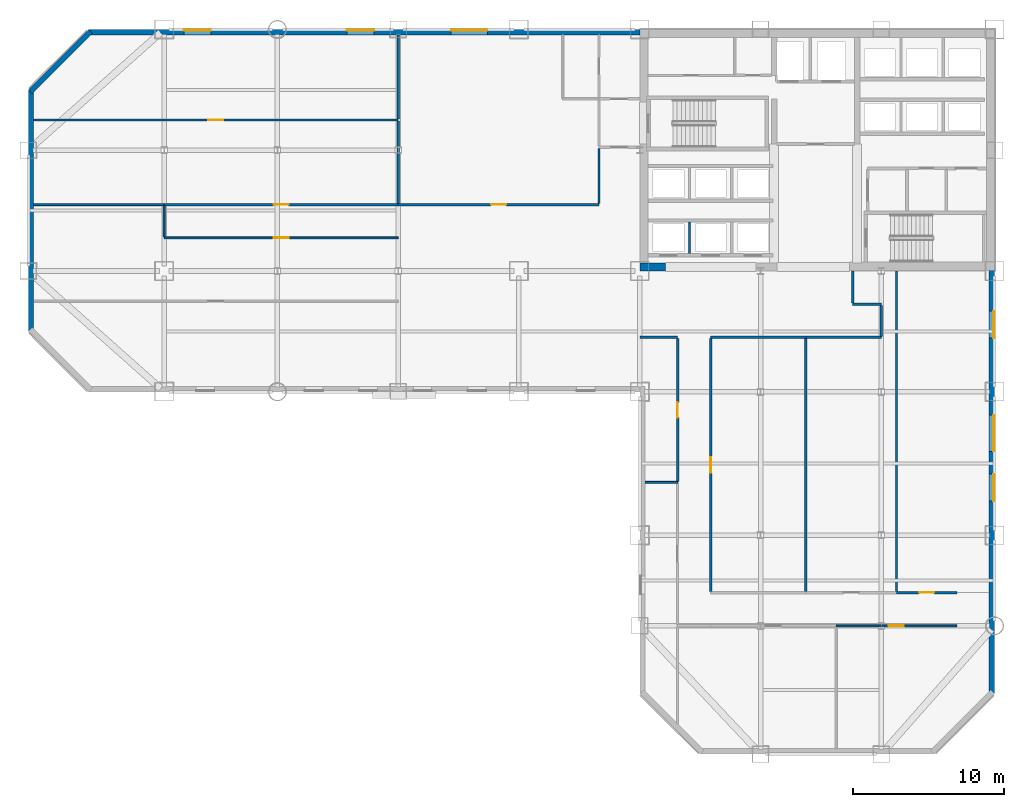
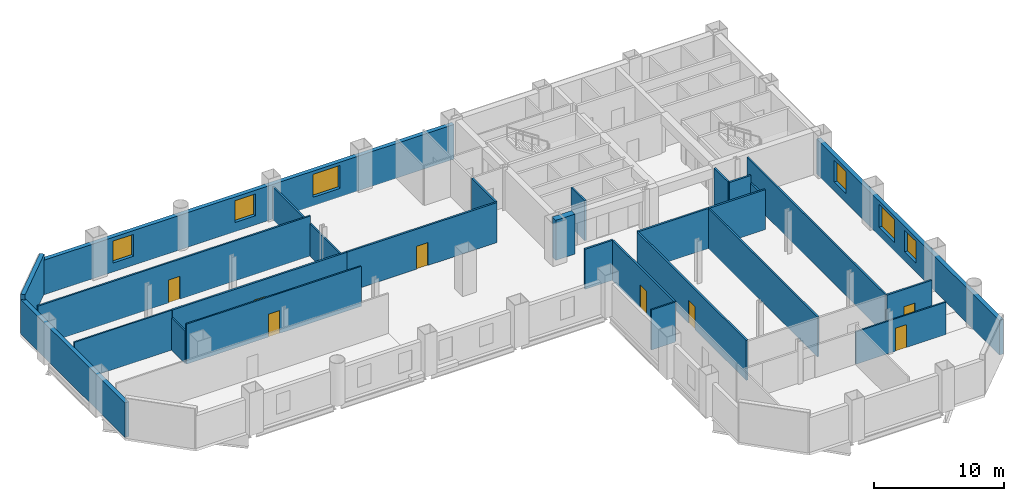
# One storey, part 5 of 9: 28 walls, 8 doors, 6 windows, 14 openings.
"""IFC4 building model written with IfcOpenShell, lengths in metres."""

from ifc_helpers import new_model, si_unit, direction, frame, frame_2d, origin, place, context, subcontext, project, spatial, rectangle, extrude, material, layer, layer_set, type_object, element, fill, save


model = new_model("IFC4")

# Units and contexts
model_context = context("Model", 3, precision=1e-05, world=origin(), true_north=direction((0.0, 1.0)))
body_context = subcontext(model_context, "Body", "Model", "MODEL_VIEW")
ifc_project = project(units=[si_unit("LENGTHUNIT", "METRE"), si_unit("AREAUNIT", "SQUARE_METRE"), si_unit("VOLUMEUNIT", "CUBIC_METRE"), si_unit("PLANEANGLEUNIT", "RADIAN"), si_unit("MASSUNIT", "GRAM", prefix="KILO")], contexts=[model_context])

# Site, building, storey
site_placement = place(None, origin())
site = spatial("IfcSite", under=ifc_project, at=site_placement, CompositionType="ELEMENT")
building_placement = place(site_placement, origin())
building = spatial("IfcBuilding", under=site, at=building_placement, Name="Qianrong Seaharbour Tower", CompositionType="ELEMENT")
storey_placement = place(building_placement, frame((0.0, 0.0, 76.199951171875)))
storey = spatial("IfcBuildingStorey", under=building, at=storey_placement, Name="L18", CompositionType="ELEMENT", Elevation=76.199951171875)

# Wall
ifc_material_1 = material(Name="Concrete C70/85", Category="concrete")
ifc_layer_1 = layer(ifc_material_1, 0.5400390625)
ifc_layer_set_1 = layer_set([ifc_layer_1], Name="Concrete C70/85")
wall_type_1 = type_object("IfcWallType", Name="WALL-CORE-540", PredefinedType="SHEAR", material=ifc_layer_set_1)
wall_1_placement = place(storey_placement, frame((40.5, 36.27001953125, 0.0), z_axis=(0.0, 0.0, 1.0), x_axis=(1.0, 0.0, 0.0)))
element("IfcWall", 1, at=wall_1_placement, inside=storey, type_object=wall_type_1, Name="L18 South Core Shear Wall S1", PredefinedType="SHEAR", context=body_context, shape_type="SweptSolid", body=[
    extrude(rectangle(XDim=1.699951171875, YDim=0.5400390625, at=frame_2d((0.85009765625, 0.0))), origin(), (0.0, 0.0, 1.0), 3.75),
])

# Wall, opening, door
ifc_material_2 = material(Name="Fire-rated acoustic gypsum board partition")
ifc_layer_2 = layer(ifc_material_2, 0.1650390625)
ifc_layer_set_2 = layer_set([ifc_layer_2], Name="Fire-rated acoustic gypsum board partition")
wall_type_2 = type_object("IfcWallType", Name="WALL-CORR-PART-165", PredefinedType="PARTITIONING", material=ifc_layer_set_2)
wall_2_placement = place(storey_placement, frame((24.5, 40.39990234375, 0.0), z_axis=(0.0, 0.0, 1.0), x_axis=(1.0, 0.0, 0.0)))
wall_2 = element("IfcWall", 2, at=wall_2_placement, inside=storey, type_object=wall_type_2, Name="L18 Interior Partition Wall 017", PredefinedType="PARTITIONING", context=body_context, shape_type="SweptSolid", body=[
    extrude(rectangle(XDim=13.300048828125, YDim=0.1650390625, at=frame_2d((6.64990234375, 0.0))), origin(), (0.0, 0.0, 1.0), 3.75),
])
opening_1_placement = place(wall_2_placement, frame((6.14990234375, 0.0, 0.0)))
opening_1 = element("IfcOpeningElement", 3, at=opening_1_placement, cuts=wall_2, Name="Opening DO-01", PredefinedType="OPENING", context=body_context, shape_type="SweptSolid", body=[
    extrude(rectangle(XDim=1.0, YDim=2.14990234375, at=frame_2d((0.5, 1.074951171875))), frame((0.0, 0.092529296875, 0.0), z_axis=(0.0, -1.0, 0.0), x_axis=(1.0, 0.0, 0.0)), (0.0, 0.0, 1.0), 0.18505859375),
])
ifc_material_3 = material(Name="Acoustic timber and galvanized steel fire door assembly", Category="steel")
door_type = type_object("IfcDoorType", Name="DOOR-OFFICE-1000x2150", OperationType="NOTDEFINED", PredefinedType="DOOR", material=ifc_material_3)
door_1_placement = place(opening_1_placement, origin())
door_1 = element("IfcDoor", 4, at=door_1_placement, inside=storey, type_object=door_type, Name="L18 Central Spine Open-Plan Office Door", OperationType="SINGLE_SWING_RIGHT", OverallHeight=2.14990234375, OverallWidth=1.0, PredefinedType="DOOR", context=body_context, shape_type="SweptSolid", body=[
    extrude(rectangle(XDim=1.0, YDim=2.14990234375, at=frame_2d((0.5, 1.074951171875))), frame((0.0, 0.02490234375, 0.0), z_axis=(0.0, -1.0, 0.0), x_axis=(1.0, 0.0, 0.0)), (0.0, 0.0, 1.0), 0.050048828125),
])
fill(opening_1, door_1)

wall_3_placement = place(storey_placement, frame((9.0, 40.39990234375, 0.0), z_axis=(0.0, 0.0, 1.0), x_axis=(1.0, 0.0, 0.0)))
wall_3 = element("IfcWall", 5, at=wall_3_placement, inside=storey, type_object=wall_type_2, Name="L18 Interior Partition Wall 020", PredefinedType="PARTITIONING", context=body_context, shape_type="SweptSolid", body=[
    extrude(rectangle(XDim=15.5, YDim=0.1650390625, at=frame_2d((7.75, 0.0))), origin(), (0.0, 0.0, 1.0), 3.75),
])
opening_2_placement = place(wall_3_placement, frame((7.25, 0.0, 0.0)))
opening_2 = element("IfcOpeningElement", 6, at=opening_2_placement, cuts=wall_3, Name="Opening DO-01", PredefinedType="OPENING", context=body_context, shape_type="SweptSolid", body=[
    extrude(rectangle(XDim=1.0, YDim=2.14990234375, at=frame_2d((0.5, 1.074951171875))), frame((0.0, 0.092529296875, 0.0), z_axis=(0.0, -1.0, 0.0), x_axis=(1.0, 0.0, 0.0)), (0.0, 0.0, 1.0), 0.18505859375),
])
door_2_placement = place(opening_2_placement, origin())
door_2 = element("IfcDoor", 7, at=door_2_placement, inside=storey, type_object=door_type, Name="L18 Hospitality Dining Room 3 Door", OperationType="SINGLE_SWING_LEFT", OverallHeight=2.14990234375, OverallWidth=1.0, PredefinedType="DOOR", context=body_context, shape_type="SweptSolid", body=[
    extrude(rectangle(XDim=1.0, YDim=2.14990234375, at=frame_2d((0.5, 1.074951171875))), frame((0.0, 0.02490234375, 0.0), z_axis=(0.0, -1.0, 0.0), x_axis=(1.0, 0.0, 0.0)), (0.0, 0.0, 1.0), 0.050048828125),
])
fill(opening_2, door_2)

# Walls
wall_4_placement = place(storey_placement, frame((37.800048828125, 40.474609375, 0.0), z_axis=(0.0, 0.0, 1.0), x_axis=(0.0, 1.0, 0.0)))
element("IfcWall", 8, at=wall_4_placement, inside=storey, type_object=wall_type_2, Name="L18 Interior Partition Wall 021", PredefinedType="PARTITIONING", context=body_context, shape_type="SweptSolid", body=[
    extrude(rectangle(XDim=3.65087890625, YDim=0.1650390625, at=frame_2d((1.825439453125, 0.0))), origin(), (0.0, 0.0, 1.0), 3.75),
])
wall_5_placement = place(storey_placement, frame((51.5, 31.60009765625, 0.0), z_axis=(0.0, 0.0, 1.0), x_axis=(-1.0, 0.0, 0.0)))
element("IfcWall", 9, at=wall_5_placement, inside=storey, type_object=wall_type_2, Name="L18 Interior Partition Wall 022", PredefinedType="PARTITIONING", context=body_context, shape_type="SweptSolid", body=[
    extrude(rectangle(XDim=6.300048828125, YDim=0.1650390625, at=frame_2d((3.14990234375, 0.0))), origin(), (0.0, 0.0, 1.0), 3.75),
])
wall_6_placement = place(storey_placement, frame((54.60009765625, 36.0, 0.0), z_axis=(0.0, 0.0, 1.0), x_axis=(0.0, -1.0, 0.0)))
element("IfcWall", 10, at=wall_6_placement, inside=storey, type_object=wall_type_2, Name="L18 Interior Partition Wall 023", PredefinedType="PARTITIONING", context=body_context, shape_type="SweptSolid", body=[
    extrude(rectangle(XDim=2.12548828125, YDim=0.1650390625, at=frame_2d((1.062744140625, 0.0))), origin(), (0.0, 0.0, 1.0), 3.75),
])
wall_7_placement = place(storey_placement, frame((54.60009765625, 33.800048828125, 0.0), z_axis=(0.0, 0.0, 1.0), x_axis=(1.0, 0.0, 0.0)))
element("IfcWall", 11, at=wall_7_placement, inside=storey, type_object=wall_type_2, Name="L18 Interior Partition Wall 024", PredefinedType="PARTITIONING", context=body_context, shape_type="SweptSolid", body=[
    extrude(rectangle(XDim=1.89990234375, YDim=0.1650390625, at=frame_2d((0.949951171875, 0.0))), origin(), (0.0, 0.0, 1.0), 3.75),
])
wall_8_placement = place(storey_placement, frame((56.5, 33.7255859375, 0.0), z_axis=(0.0, 0.0, 1.0), x_axis=(0.0, -1.0, 0.0)))
element("IfcWall", 12, at=wall_8_placement, inside=storey, type_object=wall_type_2, Name="L18 Interior Partition Wall 025", PredefinedType="PARTITIONING", context=body_context, shape_type="SweptSolid", body=[
    extrude(rectangle(XDim=2.051025390625, YDim=0.1650390625, at=frame_2d((1.025390625, 0.0))), origin(), (0.0, 0.0, 1.0), 3.0419921875),
])
wall_9_placement = place(storey_placement, frame((56.5, 31.60009765625, 0.0), z_axis=(0.0, 0.0, 1.0), x_axis=(-1.0, 0.0, 0.0)))
element("IfcWall", 13, at=wall_9_placement, inside=storey, type_object=wall_type_2, Name="L18 Interior Partition Wall 026", PredefinedType="PARTITIONING", context=body_context, shape_type="SweptSolid", body=[
    extrude(rectangle(XDim=5.0, YDim=0.1650390625, at=frame_2d((2.5, 0.0))), origin(), (0.0, 0.0, 1.0), 3.75),
])
wall_10_placement = place(storey_placement, frame((43.0, 31.60009765625, 0.0), z_axis=(0.0, 0.0, 1.0), x_axis=(-1.0, 0.0, 0.0)))
element("IfcWall", 14, at=wall_10_placement, inside=storey, type_object=wall_type_2, Name="L18 Interior Partition Wall 027", PredefinedType="PARTITIONING", context=body_context, shape_type="SweptSolid", body=[
    extrude(rectangle(XDim=2.5, YDim=0.1650390625, at=frame_2d((1.25, 0.0))), origin(), (0.0, 0.0, 1.0), 3.75),
])

# Wall, opening, door
wall_11_placement = place(storey_placement, frame((45.199951171875, 31.525390625, 0.0), z_axis=(0.0, 0.0, 1.0), x_axis=(0.0, -1.0, 0.0)))
wall_11 = element("IfcWall", 15, at=wall_11_placement, inside=storey, type_object=wall_type_2, Name="L18 Interior Partition Wall 028", PredefinedType="PARTITIONING", context=body_context, shape_type="SweptSolid", body=[
    extrude(rectangle(XDim=16.7509765625, YDim=0.1650390625, at=frame_2d((8.37548828125, 0.0))), origin(), (0.0, 0.0, 1.0), 3.75),
])
opening_3_placement = place(wall_11_placement, frame((7.87548828125, 0.0, 0.0)))
opening_3 = element("IfcOpeningElement", 16, at=opening_3_placement, cuts=wall_11, Name="Opening DO-01", PredefinedType="OPENING", context=body_context, shape_type="SweptSolid", body=[
    extrude(rectangle(XDim=1.0, YDim=2.14990234375, at=frame_2d((0.5, 1.074951171875))), frame((0.0, 0.092529296875, 0.0), z_axis=(0.0, -1.0, 0.0), x_axis=(1.0, 0.0, 0.0)), (0.0, 0.0, 1.0), 0.18505859375),
])
door_3_placement = place(opening_3_placement, origin())
door_3 = element("IfcDoor", 17, at=door_3_placement, inside=storey, type_object=door_type, Name="L18 East Harbour Dining Salon 1 Door", OperationType="SINGLE_SWING_LEFT", OverallHeight=2.14990234375, OverallWidth=1.0, PredefinedType="DOOR", context=body_context, shape_type="SweptSolid", body=[
    extrude(rectangle(XDim=1.0, YDim=2.14990234375, at=frame_2d((0.5, 1.074951171875))), frame((0.0, 0.02490234375, 0.0), z_axis=(0.0, -1.0, 0.0), x_axis=(1.0, 0.0, 0.0)), (0.0, 0.0, 1.0), 0.050048828125),
])
fill(opening_3, door_3)

wall_12_placement = place(storey_placement, frame((43.0, 22.056884765625, 0.0), z_axis=(0.0, 0.0, 1.0), x_axis=(0.0, 1.0, 0.0)))
wall_12 = element("IfcWall", 18, at=wall_12_placement, inside=storey, type_object=wall_type_2, Name="L18 Interior Partition Wall 030", PredefinedType="PARTITIONING", context=body_context, shape_type="SweptSolid", body=[
    extrude(rectangle(XDim=9.468505859375, YDim=0.1650390625, at=frame_2d((4.734375, 0.0))), origin(), (0.0, 0.0, 1.0), 3.75),
])
opening_4_placement = place(wall_12_placement, frame((4.234375, 0.0, 0.0)))
opening_4 = element("IfcOpeningElement", 19, at=opening_4_placement, cuts=wall_12, Name="Opening DO-01", PredefinedType="OPENING", context=body_context, shape_type="SweptSolid", body=[
    extrude(rectangle(XDim=1.0, YDim=2.14990234375, at=frame_2d((0.5, 1.074951171875))), frame((0.0, 0.092529296875, 0.0), z_axis=(0.0, -1.0, 0.0), x_axis=(1.0, 0.0, 0.0)), (0.0, 0.0, 1.0), 0.18505859375),
])
door_4_placement = place(opening_4_placement, origin())
door_4 = element("IfcDoor", 20, at=door_4_placement, inside=storey, type_object=door_type, Name="L18 Concierge Office 2 Door", OperationType="SINGLE_SWING_LEFT", OverallHeight=2.14990234375, OverallWidth=1.0, PredefinedType="DOOR", context=body_context, shape_type="SweptSolid", body=[
    extrude(rectangle(XDim=1.0, YDim=2.14990234375, at=frame_2d((0.5, 1.074951171875))), frame((0.0, 0.02490234375, 0.0), z_axis=(0.0, -1.0, 0.0), x_axis=(1.0, 0.0, 0.0)), (0.0, 0.0, 1.0), 0.050048828125),
])
fill(opening_4, door_4)

wall_13_placement = place(storey_placement, frame((57.5, 14.699951171875, 0.0), z_axis=(0.0, 0.0, 1.0), x_axis=(1.0, 0.0, 0.0)))
wall_13 = element("IfcWall", 21, at=wall_13_placement, inside=storey, type_object=wall_type_2, Name="L18 Interior Partition Wall 034", PredefinedType="PARTITIONING", context=body_context, shape_type="SweptSolid", body=[
    extrude(rectangle(XDim=4.0, YDim=0.1650390625, at=frame_2d((2.0, 0.0))), origin(), (0.0, 0.0, 1.0), 3.75),
])
opening_5_placement = place(wall_13_placement, frame((1.5, 0.0, 0.0)))
opening_5 = element("IfcOpeningElement", 22, at=opening_5_placement, cuts=wall_13, Name="Opening DO-01", PredefinedType="OPENING", context=body_context, shape_type="SweptSolid", body=[
    extrude(rectangle(XDim=1.0, YDim=2.14990234375, at=frame_2d((0.5, 1.074951171875))), frame((0.0, 0.092529296875, 0.0), z_axis=(0.0, -1.0, 0.0), x_axis=(1.0, 0.0, 0.0)), (0.0, 0.0, 1.0), 0.18505859375),
])
door_5_placement = place(opening_5_placement, origin())
door_5 = element("IfcDoor", 23, at=door_5_placement, inside=storey, type_object=door_type, Name="L18 Staff Lounge 3 Door", OperationType="SINGLE_SWING_LEFT", OverallHeight=2.14990234375, OverallWidth=1.0, PredefinedType="DOOR", context=body_context, shape_type="SweptSolid", body=[
    extrude(rectangle(XDim=1.0, YDim=2.14990234375, at=frame_2d((0.5, 1.074951171875))), frame((0.0, 0.02490234375, 0.0), z_axis=(0.0, -1.0, 0.0), x_axis=(1.0, 0.0, 0.0)), (0.0, 0.0, 1.0), 0.050048828125),
])
fill(opening_5, door_5)

# Walls
ifc_material_4 = material(Name="Unitised red brick on Precast concrete C45/55", Category="masonry")
ifc_layer_3 = layer(ifc_material_4, 0.360107421875)
ifc_layer_set_3 = layer_set([ifc_layer_3], Name="Unitised red brick on Precast concrete C45/55")
wall_type_3 = type_object("IfcWallType", Name="WALL-EXT-BRICK-RED-360", PredefinedType="SOLIDWALL", material=ifc_layer_set_3)
wall_14_placement = place(storey_placement, frame((0.179931640625, 32.0, 0.0), z_axis=(0.0, 0.0, 1.0), x_axis=(0.0, 1.0, 0.0)))
element("IfcWall", 24, at=wall_14_placement, inside=storey, type_object=wall_type_3, Name="L18 Exterior Masonry Facade Wall WEST_TIP", PredefinedType="SOLIDWALL", context=body_context, shape_type="SweptSolid", body=[
    extrude(rectangle(XDim=16.0, YDim=0.360107421875, at=frame_2d((8.0, 0.0))), origin(), (0.0, 0.0, 1.0), 3.25),
])
wall_15_placement = place(storey_placement, frame((0.127197265625, 47.872802734375, 0.0), z_axis=(0.0, 0.0, 1.0), x_axis=(0.707106781187, 0.707106781187, 0.0)))
element("IfcWall", 25, at=wall_15_placement, inside=storey, type_object=wall_type_3, Name="L18 Exterior Masonry Facade Wall E04", PredefinedType="SOLIDWALL", context=body_context, shape_type="SweptSolid", body=[
    extrude(rectangle(XDim=5.65673828125, YDim=0.360107421875, at=frame_2d((2.828369140625, 0.0))), origin(), (0.0, 0.0, 1.0), 3.75),
])

# Wall, openings, windows
wall_16_placement = place(storey_placement, frame((4.0, 51.820068359375, 0.0), z_axis=(0.0, 0.0, 1.0), x_axis=(1.0, 0.0, 0.0)))
wall_16 = element("IfcWall", 26, at=wall_16_placement, inside=storey, type_object=wall_type_3, Name="L18 Exterior Masonry Facade Wall NORTH_WING", PredefinedType="SOLIDWALL", context=body_context, shape_type="SweptSolid", body=[
    extrude(rectangle(XDim=36.52001953125, YDim=0.360107421875, at=frame_2d((18.260009765625, 0.0))), origin(), (0.0, 0.0, 1.0), 3.25),
])
opening_6_placement = place(wall_16_placement, frame((6.300048828125, 0.0, 0.85009765625)))
opening_6 = element("IfcOpeningElement", 27, at=opening_6_placement, cuts=wall_16, Name="Opening WN-05", PredefinedType="OPENING", context=body_context, shape_type="SweptSolid", body=[
    extrude(rectangle(XDim=1.800048828125, YDim=2.050048828125, at=frame_2d((0.89990234375, 1.02490234375))), frame((0.0, 0.18994140625, 0.0), z_axis=(0.0, -1.0, 0.0), x_axis=(1.0, 0.0, 0.0)), (0.0, 0.0, 1.0), 0.380126953125),
])
opening_7_placement = place(wall_16_placement, frame((17.10009765625, 0.0, 0.85009765625)))
opening_7 = element("IfcOpeningElement", 28, at=opening_7_placement, cuts=wall_16, Name="Opening WN-05", PredefinedType="OPENING", context=body_context, shape_type="SweptSolid", body=[
    extrude(rectangle(XDim=1.800048828125, YDim=2.050048828125, at=frame_2d((0.89990234375, 1.02490234375))), frame((0.0, 0.18994140625, 0.0), z_axis=(0.0, -1.0, 0.0), x_axis=(1.0, 0.0, 0.0)), (0.0, 0.0, 1.0), 0.380126953125),
])
opening_8_placement = place(wall_16_placement, frame((24.0, 0.0, 0.800048828125)))
opening_8 = element("IfcOpeningElement", 29, at=opening_8_placement, cuts=wall_16, Name="Opening WN-07", PredefinedType="OPENING", context=body_context, shape_type="SweptSolid", body=[
    extrude(rectangle(XDim=2.39990234375, YDim=2.14990234375, at=frame_2d((1.199951171875, 1.074951171875))), frame((0.0, 0.18994140625, 0.0), z_axis=(0.0, -1.0, 0.0), x_axis=(1.0, 0.0, 0.0)), (0.0, 0.0, 1.0), 0.380126953125),
])
ifc_material_5 = material(Name="Insulated low-e double glazing in thermally broken aluminium 6063-T6 frame", Category="aluminium")
window_type_1 = type_object("IfcWindowType", Name="WIN-PUNCH-1800x2050", PartitioningType="TRIPLE_PANEL_VERTICAL", PredefinedType="WINDOW", material=ifc_material_5)
window_1_placement = place(opening_6_placement, origin())
window_1 = element("IfcWindow", 30, at=window_1_placement, inside=storey, type_object=window_type_1, Name="L18 Deep-Set Punched Window 05.02", OverallHeight=2.050048828125, OverallWidth=1.800048828125, PartitioningType="TRIPLE_PANEL_VERTICAL", PredefinedType="WINDOW", context=body_context, shape_type="SweptSolid", body=[
    extrude(rectangle(XDim=1.800048828125, YDim=2.050048828125, at=frame_2d((0.89990234375, 1.02490234375))), frame((0.0, 0.150146484375, 0.0), z_axis=(0.0, -1.0, 0.0), x_axis=(1.0, 0.0, 0.0)), (0.0, 0.0, 1.0), 0.06005859375),
])
fill(opening_6, window_1)
window_2_placement = place(opening_7_placement, origin())
window_2 = element("IfcWindow", 31, at=window_2_placement, inside=storey, type_object=window_type_1, Name="L18 Deep-Set Punched Window 05.05", OverallHeight=2.050048828125, OverallWidth=1.800048828125, PartitioningType="TRIPLE_PANEL_VERTICAL", PredefinedType="WINDOW", context=body_context, shape_type="SweptSolid", body=[
    extrude(rectangle(XDim=1.800048828125, YDim=2.050048828125, at=frame_2d((0.89990234375, 1.02490234375))), frame((0.0, 0.150146484375, 0.0), z_axis=(0.0, -1.0, 0.0), x_axis=(1.0, 0.0, 0.0)), (0.0, 0.0, 1.0), 0.06005859375),
])
fill(opening_7, window_2)
window_type_2 = type_object("IfcWindowType", Name="WIN-PUNCH-2400x2150", PartitioningType="TRIPLE_PANEL_VERTICAL", PredefinedType="WINDOW", material=ifc_material_5)
window_3_placement = place(opening_8_placement, origin())
window_3 = element("IfcWindow", 32, at=window_3_placement, inside=storey, type_object=window_type_2, Name="L18 Deep-Set Punched Window 05.07", OverallHeight=2.14990234375, OverallWidth=2.39990234375, PartitioningType="TRIPLE_PANEL_VERTICAL", PredefinedType="WINDOW", context=body_context, shape_type="SweptSolid", body=[
    extrude(rectangle(XDim=2.39990234375, YDim=2.14990234375, at=frame_2d((1.199951171875, 1.074951171875))), frame((0.0, 0.150146484375, 0.0), z_axis=(0.0, -1.0, 0.0), x_axis=(1.0, 0.0, 0.0)), (0.0, 0.0, 1.0), 0.06005859375),
])
fill(opening_8, window_3)

wall_17_placement = place(storey_placement, frame((63.820068359375, 36.050048828125, 0.0), z_axis=(0.0, 0.0, 1.0), x_axis=(0.0, -1.0, 0.0)))
wall_17 = element("IfcWall", 33, at=wall_17_placement, inside=storey, type_object=wall_type_3, Name="L18 Exterior Masonry Facade Wall EAST_WING", PredefinedType="SOLIDWALL", context=body_context, shape_type="SweptSolid", body=[
    extrude(rectangle(XDim=28.050048828125, YDim=0.360107421875, at=frame_2d((14.02490234375, 0.0))), origin(), (0.0, 0.0, 1.0), 3.25),
])
opening_9_placement = place(wall_17_placement, frame((2.699951171875, 0.0, 0.85009765625)))
opening_9 = element("IfcOpeningElement", 34, at=opening_9_placement, cuts=wall_17, Name="Opening WN-05", PredefinedType="OPENING", context=body_context, shape_type="SweptSolid", body=[
    extrude(rectangle(XDim=1.800048828125, YDim=2.050048828125, at=frame_2d((0.89990234375, 1.02490234375))), frame((0.0, 0.18994140625, 0.0), z_axis=(0.0, -1.0, 0.0), x_axis=(1.0, 0.0, 0.0)), (0.0, 0.0, 1.0), 0.380126953125),
])
opening_10_placement = place(wall_17_placement, frame((9.60009765625, 0.0, 0.800048828125)))
opening_10 = element("IfcOpeningElement", 35, at=opening_10_placement, cuts=wall_17, Name="Opening WN-07", PredefinedType="OPENING", context=body_context, shape_type="SweptSolid", body=[
    extrude(rectangle(XDim=2.39990234375, YDim=2.14990234375, at=frame_2d((1.199951171875, 1.074951171875))), frame((0.0, 0.18994140625, 0.0), z_axis=(0.0, -1.0, 0.0), x_axis=(1.0, 0.0, 0.0)), (0.0, 0.0, 1.0), 0.380126953125),
])
opening_11_placement = place(wall_17_placement, frame((13.5, 0.0, 0.85009765625)))
opening_11 = element("IfcOpeningElement", 36, at=opening_11_placement, cuts=wall_17, Name="Opening WN-05", PredefinedType="OPENING", context=body_context, shape_type="SweptSolid", body=[
    extrude(rectangle(XDim=1.800048828125, YDim=2.050048828125, at=frame_2d((0.89990234375, 1.02490234375))), frame((0.0, 0.18994140625, 0.0), z_axis=(0.0, -1.0, 0.0), x_axis=(1.0, 0.0, 0.0)), (0.0, 0.0, 1.0), 0.380126953125),
])
window_4_placement = place(opening_9_placement, origin())
window_4 = element("IfcWindow", 37, at=window_4_placement, inside=storey, type_object=window_type_1, Name="L18 Deep-Set Punched Window 06.01", OverallHeight=2.050048828125, OverallWidth=1.800048828125, PartitioningType="TRIPLE_PANEL_VERTICAL", PredefinedType="WINDOW", context=body_context, shape_type="SweptSolid", body=[
    extrude(rectangle(XDim=1.800048828125, YDim=2.050048828125, at=frame_2d((0.89990234375, 1.02490234375))), frame((0.0, 0.150146484375, 0.0), z_axis=(0.0, -1.0, 0.0), x_axis=(1.0, 0.0, 0.0)), (0.0, 0.0, 1.0), 0.06005859375),
])
fill(opening_9, window_4)
window_5_placement = place(opening_11_placement, origin())
window_5 = element("IfcWindow", 38, at=window_5_placement, inside=storey, type_object=window_type_1, Name="L18 Deep-Set Punched Window 06.04", OverallHeight=2.050048828125, OverallWidth=1.800048828125, PartitioningType="TRIPLE_PANEL_VERTICAL", PredefinedType="WINDOW", context=body_context, shape_type="SweptSolid", body=[
    extrude(rectangle(XDim=1.800048828125, YDim=2.050048828125, at=frame_2d((0.89990234375, 1.02490234375))), frame((0.0, 0.150146484375, 0.0), z_axis=(0.0, -1.0, 0.0), x_axis=(1.0, 0.0, 0.0)), (0.0, 0.0, 1.0), 0.06005859375),
])
fill(opening_11, window_5)
window_6_placement = place(opening_10_placement, origin())
window_6 = element("IfcWindow", 39, at=window_6_placement, inside=storey, type_object=window_type_2, Name="L18 Deep-Set Punched Window 06.03", OverallHeight=2.14990234375, OverallWidth=2.39990234375, PartitioningType="TRIPLE_PANEL_VERTICAL", PredefinedType="WINDOW", context=body_context, shape_type="SweptSolid", body=[
    extrude(rectangle(XDim=2.39990234375, YDim=2.14990234375, at=frame_2d((1.199951171875, 1.074951171875))), frame((0.0, 0.150146484375, 0.0), z_axis=(0.0, -1.0, 0.0), x_axis=(1.0, 0.0, 0.0)), (0.0, 0.0, 1.0), 0.06005859375),
])
fill(opening_10, window_6)

# Walls
ifc_material_6 = material(Name="Acoustic gypsum board stud partition")
ifc_layer_4 = layer(ifc_material_6, 0.14501953125)
ifc_layer_set_4 = layer_set([ifc_layer_4], Name="Acoustic gypsum board stud partition")
wall_type_4 = type_object("IfcWallType", Name="WALL-OFFICE-PART-145", PredefinedType="PARTITIONING", material=ifc_layer_set_4)
wall_18_placement = place(storey_placement, frame((24.5, 40.474609375, 0.0), z_axis=(0.0, 0.0, 1.0), x_axis=(0.0, 1.0, 0.0)))
element("IfcWall", 40, at=wall_18_placement, inside=storey, type_object=wall_type_4, Name="L18 Interior Partition Wall 037", PredefinedType="PARTITIONING", context=body_context, shape_type="SweptSolid", body=[
    extrude(rectangle(XDim=5.4609375, YDim=0.14501953125, at=frame_2d((2.73046875, 0.0))), origin(), (0.0, 0.0, 1.0), 3.0419921875),
])
wall_19_placement = place(storey_placement, frame((24.5, 46.064453125, 0.0), z_axis=(0.0, 0.0, 1.0), x_axis=(0.0, 1.0, 0.0)))
element("IfcWall", 41, at=wall_19_placement, inside=storey, type_object=wall_type_4, Name="L18 Interior Partition Wall 038", PredefinedType="PARTITIONING", context=body_context, shape_type="SweptSolid", body=[
    extrude(rectangle(XDim=5.58349609375, YDim=0.14501953125, at=frame_2d((2.791748046875, 0.0))), origin(), (0.0, 0.0, 1.0), 3.0419921875),
])

# Wall, opening, door
wall_20_placement = place(storey_placement, frame((0.35205078125, 46.0, 0.0), z_axis=(0.0, 0.0, 1.0), x_axis=(1.0, 0.0, 0.0)))
wall_20 = element("IfcWall", 42, at=wall_20_placement, inside=storey, type_object=wall_type_4, Name="L18 Interior Partition Wall 041", PredefinedType="PARTITIONING", context=body_context, shape_type="SweptSolid", body=[
    extrude(rectangle(XDim=24.14794921875, YDim=0.14501953125, at=frame_2d((12.073974609375, 0.0))), origin(), (0.0, 0.0, 1.0), 3.75),
])
opening_12_placement = place(wall_20_placement, frame((11.573974609375, 0.0, 0.0)))
opening_12 = element("IfcOpeningElement", 43, at=opening_12_placement, cuts=wall_20, Name="Opening DO-01", PredefinedType="OPENING", context=body_context, shape_type="SweptSolid", body=[
    extrude(rectangle(XDim=1.0, YDim=2.14990234375, at=frame_2d((0.5, 1.074951171875))), frame((0.0, 0.08251953125, 0.0), z_axis=(0.0, -1.0, 0.0), x_axis=(1.0, 0.0, 0.0)), (0.0, 0.0, 1.0), 0.1650390625),
])
door_6_placement = place(opening_12_placement, origin())
door_6 = element("IfcDoor", 44, at=door_6_placement, inside=storey, type_object=door_type, Name="L18 Quiet Sitting Lounge 4 Door", OperationType="SINGLE_SWING_RIGHT", OverallHeight=2.14990234375, OverallWidth=1.0, PredefinedType="DOOR", context=body_context, shape_type="SweptSolid", body=[
    extrude(rectangle(XDim=1.0, YDim=2.14990234375, at=frame_2d((0.5, 1.074951171875))), frame((0.0, 0.02490234375, 0.0), z_axis=(0.0, -1.0, 0.0), x_axis=(1.0, 0.0, 0.0)), (0.0, 0.0, 1.0), 0.050048828125),
])
fill(opening_12, door_6)

# Walls
wall_21_placement = place(storey_placement, frame((51.5, 31.525390625, 0.0), z_axis=(0.0, 0.0, 1.0), x_axis=(0.0, -1.0, 0.0)))
element("IfcWall", 45, at=wall_21_placement, inside=storey, type_object=wall_type_4, Name="L18 Interior Partition Wall 042", PredefinedType="PARTITIONING", context=body_context, shape_type="SweptSolid", body=[
    extrude(rectangle(XDim=16.7509765625, YDim=0.14501953125, at=frame_2d((8.37548828125, 0.0))), origin(), (0.0, 0.0, 1.0), 3.75),
])
wall_22_placement = place(storey_placement, frame((57.5, 36.0, 0.0), z_axis=(0.0, 0.0, 1.0), x_axis=(0.0, -1.0, 0.0)))
element("IfcWall", 46, at=wall_22_placement, inside=storey, type_object=wall_type_4, Name="L18 Interior Partition Wall 043", PredefinedType="PARTITIONING", context=body_context, shape_type="SweptSolid", body=[
    extrude(rectangle(XDim=21.2255859375, YDim=0.14501953125, at=frame_2d((10.61279296875, 0.0))), origin(), (0.0, 0.0, 1.0), 3.75),
])
ifc_material_7 = material(Name="Fire-rated gypsum board on steel studs", Category="steel")
ifc_layer_5 = layer(ifc_material_7, 0.14990234375)
ifc_layer_set_5 = layer_set([ifc_layer_5], Name="Fire-rated gypsum board on steel studs")
wall_type_5 = type_object("IfcWallType", Name="WALL-SHAFT-DIV-150", PredefinedType="PARTITIONING", material=ifc_layer_set_5)
wall_23_placement = place(storey_placement, frame((43.800048828125, 37.159912109375, 0.0), z_axis=(0.0, 0.0, 1.0), x_axis=(0.0, 1.0, 0.0)))
element("IfcWall", 47, at=wall_23_placement, inside=storey, type_object=wall_type_5, Name="L18 P1 Lift Hoistway Divider 2", PredefinedType="PARTITIONING", context=body_context, shape_type="SweptSolid", body=[
    extrude(rectangle(XDim=2.080078125, YDim=0.14990234375, at=frame_2d((1.0400390625, 0.0))), origin(), (0.0, 0.0, 1.0), 3.75),
])

# Wall, opening, door
ifc_material_8 = material(Name="Water-resistant cement board sanitary partition")
ifc_layer_6 = layer(ifc_material_8, 0.1298828125)
ifc_layer_set_6 = layer_set([ifc_layer_6], Name="Water-resistant cement board sanitary partition")
wall_type_6 = type_object("IfcWallType", Name="WALL-WET-PART-130", PredefinedType="PARTITIONING", material=ifc_layer_set_6)
wall_24_placement = place(storey_placement, frame((24.5, 38.199951171875, 0.0), z_axis=(0.0, 0.0, 1.0), x_axis=(-1.0, 0.0, 0.0)))
wall_24 = element("IfcWall", 48, at=wall_24_placement, inside=storey, type_object=wall_type_6, Name="L18 Interior Partition Wall 018", PredefinedType="PARTITIONING", context=body_context, shape_type="SweptSolid", body=[
    extrude(rectangle(XDim=15.5, YDim=0.1298828125, at=frame_2d((7.75, 0.0))), origin(), (0.0, 0.0, 1.0), 3.75),
])
opening_13_placement = place(wall_24_placement, frame((7.25, 0.0, 0.0)))
opening_13 = element("IfcOpeningElement", 49, at=opening_13_placement, cuts=wall_24, Name="Opening DO-01", PredefinedType="OPENING", context=body_context, shape_type="SweptSolid", body=[
    extrude(rectangle(XDim=1.0, YDim=2.14990234375, at=frame_2d((0.5, 1.074951171875))), frame((0.0, 0.074951171875, 0.0), z_axis=(0.0, -1.0, 0.0), x_axis=(1.0, 0.0, 0.0)), (0.0, 0.0, 1.0), 0.14990234375),
])
door_7_placement = place(opening_13_placement, origin())
door_7 = element("IfcDoor", 50, at=door_7_placement, inside=storey, type_object=door_type, Name="L18 Barista Coffee Pantry 2 Door", OperationType="SINGLE_SWING_RIGHT", OverallHeight=2.14990234375, OverallWidth=1.0, PredefinedType="DOOR", context=body_context, shape_type="SweptSolid", body=[
    extrude(rectangle(XDim=1.0, YDim=2.14990234375, at=frame_2d((0.5, 1.074951171875))), frame((0.0, 0.02490234375, 0.0), z_axis=(0.0, -1.0, 0.0), x_axis=(1.0, 0.0, 0.0)), (0.0, 0.0, 1.0), 0.050048828125),
])
fill(opening_13, door_7)

# Wall
wall_25_placement = place(storey_placement, frame((9.0, 38.257080078125, 0.0), z_axis=(0.0, 0.0, 1.0), x_axis=(0.0, 1.0, 0.0)))
element("IfcWall", 51, at=wall_25_placement, inside=storey, type_object=wall_type_6, Name="L18 Interior Partition Wall 019", PredefinedType="PARTITIONING", context=body_context, shape_type="SweptSolid", body=[
    extrude(rectangle(XDim=2.068359375, YDim=0.1298828125, at=frame_2d((1.0341796875, 0.0))), origin(), (0.0, 0.0, 1.0), 3.0419921875),
])

# Wall, opening, door
wall_26_placement = place(storey_placement, frame((61.5, 12.5, 0.0), z_axis=(0.0, 0.0, 1.0), x_axis=(-1.0, 0.0, 0.0)))
wall_26 = element("IfcWall", 52, at=wall_26_placement, inside=storey, type_object=wall_type_6, Name="L18 Interior Partition Wall 036", PredefinedType="PARTITIONING", context=body_context, shape_type="SweptSolid", body=[
    extrude(rectangle(XDim=8.0, YDim=0.1298828125, at=frame_2d((4.0, 0.0))), origin(), (0.0, 0.0, 1.0), 3.0419921875),
])
opening_14_placement = place(wall_26_placement, frame((3.5, 0.0, 0.0)))
opening_14 = element("IfcOpeningElement", 53, at=opening_14_placement, cuts=wall_26, Name="Opening DO-01", PredefinedType="OPENING", context=body_context, shape_type="SweptSolid", body=[
    extrude(rectangle(XDim=1.0, YDim=2.14990234375, at=frame_2d((0.5, 1.074951171875))), frame((0.0, 0.074951171875, 0.0), z_axis=(0.0, -1.0, 0.0), x_axis=(1.0, 0.0, 0.0)), (0.0, 0.0, 1.0), 0.14990234375),
])
door_8_placement = place(opening_14_placement, origin())
door_8 = element("IfcDoor", 54, at=door_8_placement, inside=storey, type_object=door_type, Name="L18 Tea Servery Pantry 2 Door", OperationType="SINGLE_SWING_LEFT", OverallHeight=2.14990234375, OverallWidth=1.0, PredefinedType="DOOR", context=body_context, shape_type="SweptSolid", body=[
    extrude(rectangle(XDim=1.0, YDim=2.14990234375, at=frame_2d((0.5, 1.074951171875))), frame((0.0, 0.02490234375, 0.0), z_axis=(0.0, -1.0, 0.0), x_axis=(1.0, 0.0, 0.0)), (0.0, 0.0, 1.0), 0.050048828125),
])
fill(opening_14, door_8)

# Walls
wall_27_placement = place(storey_placement, frame((0.35205078125, 40.39990234375, 0.0), z_axis=(0.0, 0.0, 1.0), x_axis=(1.0, 0.0, 0.0)))
element("IfcWall", 55, at=wall_27_placement, inside=storey, type_object=wall_type_6, Name="L18 Interior Partition Wall 040", PredefinedType="PARTITIONING", context=body_context, shape_type="SweptSolid", body=[
    extrude(rectangle(XDim=8.64794921875, YDim=0.1298828125, at=frame_2d((4.323974609375, 0.0))), origin(), (0.0, 0.0, 1.0), 3.75),
])
wall_28_placement = place(storey_placement, frame((40.85205078125, 22.0, 0.0), z_axis=(0.0, 0.0, 1.0), x_axis=(1.0, 0.0, 0.0)))
element("IfcWall", 56, at=wall_28_placement, inside=storey, type_object=wall_type_6, Name="L18 Interior Partition Wall 044", PredefinedType="PARTITIONING", context=body_context, shape_type="SweptSolid", body=[
    extrude(rectangle(XDim=2.14794921875, YDim=0.1298828125, at=frame_2d((1.073974609375, 0.0))), origin(), (0.0, 0.0, 1.0), 3.75),
])

save(model, "model.ifc")
